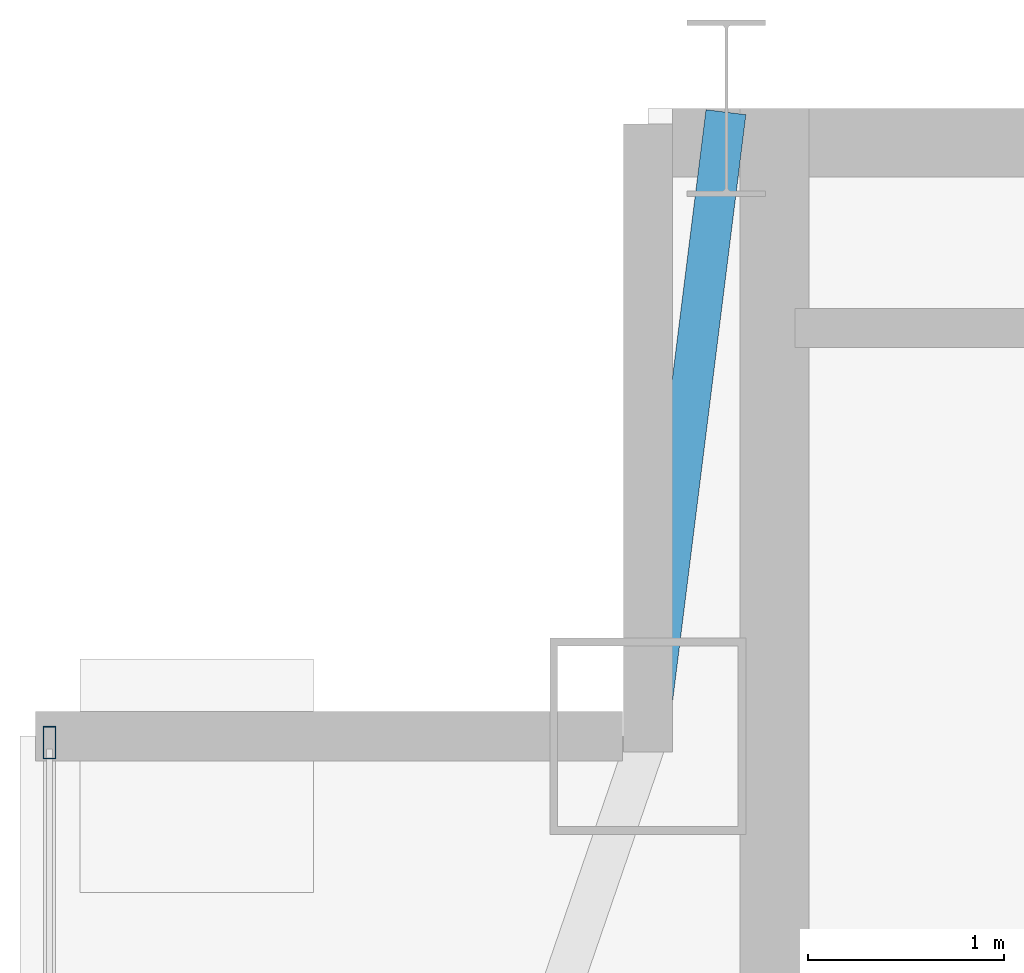
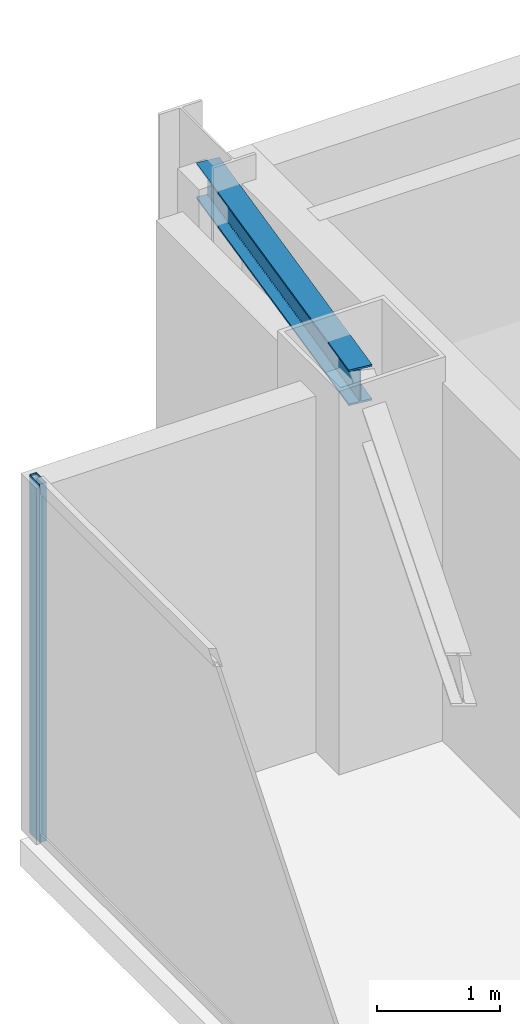
# One storey, part 15 of 25: 1 beam, 1 member, 1 element without a shape of its own.
"""IFC4 building model written with IfcOpenShell, lengths in metres."""

import ifcopenshell
import ifcopenshell.guid

model = None  # the IFC model being written
_history = None  # IfcOwnerHistory: only IFC2X3 demands one
_inside = {}  # id of a spatial element -> (the spatial element, [elements in it])
_under = {}  # id of a project, library or spatial element -> (it, [spatial elements below it])
_declared = {}  # id of a project -> (the project, [libraries it declares])
_typed = {}  # id of a type object -> (the type object, [elements of that type])
_made_of = {}  # id of a material, layer set ... -> (it, [elements and type objects made of it])


def new_model(schema):
    """Start an empty IFC model of exactly this schema.

    Asked for "IFC4X3", IfcOpenShell would pick the latest addendum, in which some entities
    have other attributes; the version numbers below select the first issue.
    IFC2X3 requires an IfcOwnerHistory on every rooted entity: one is made here for all.
    """
    global model, _history
    if schema == "IFC4X3":
        model = ifcopenshell.file(schema_version=(4, 3, 0, 0))
    else:
        model = ifcopenshell.file(schema=schema)
    _inside.clear()
    _under.clear()
    _declared.clear()
    _typed.clear()
    _made_of.clear()
    _history = None
    if model.schema == "IFC2X3":
        org = make("IfcOrganization", Name="unknown")
        user = make(
            "IfcPersonAndOrganization",
            ThePerson=make("IfcPerson", FamilyName="unknown"),
            TheOrganization=org,
        )
        app = make(
            "IfcApplication",
            ApplicationDeveloper=org,
            Version="unknown",
            ApplicationFullName="unknown",
            ApplicationIdentifier="unknown",
        )
        _history = make(
            "IfcOwnerHistory",
            OwningUser=user,
            OwningApplication=app,
            ChangeAction="ADDED",
            CreationDate=0,
        )
    return model


def make(cls, **values):
    """One entity of the class cls with the attributes given. An attribute that is None is left unset."""
    return model.create_entity(
        cls, **{name: value for name, value in values.items() if value is not None}
    )


def rooted(cls, **values):
    """An entity with a GlobalId (a new one), such as an element, a storey or a relation."""
    return make(cls, GlobalId=ifcopenshell.guid.new(), OwnerHistory=_history, **values)


def si_unit(unit_type, name, prefix=None):
    """IfcSIUnit, for example si_unit("LENGTHUNIT", "METRE", prefix="MILLI")."""
    return make("IfcSIUnit", UnitType=unit_type, Prefix=prefix, Name=name)


def assignment(units):
    """IfcUnitAssignment: the units of a project."""
    return None if units is None else make("IfcUnitAssignment", Units=units)


def point(xyz):
    """IfcCartesianPoint."""
    return None if xyz is None else make("IfcCartesianPoint", Coordinates=xyz)


def direction(xyz):
    """IfcDirection."""
    return None if xyz is None else make("IfcDirection", DirectionRatios=xyz)


def frame(location, z_axis=None, x_axis=None):
    """IfcAxis2Placement3D, a coordinate frame: its origin and axes. An axis left out is left unset."""
    return make(
        "IfcAxis2Placement3D",
        Location=point(location),
        Axis=direction(z_axis),
        RefDirection=direction(x_axis),
    )


def frame_2d(location, x_axis=None):
    """IfcAxis2Placement2D, a coordinate frame in the plane: its origin and x axis."""
    return make(
        "IfcAxis2Placement2D", Location=point(location), RefDirection=direction(x_axis)
    )


def origin():
    """The frame at (0, 0, 0) with its axes left unset."""
    return frame((0.0, 0.0, 0.0))


def origin_2d():
    """The frame at (0, 0) in the plane with its x axis left unset."""
    return frame_2d((0.0, 0.0))


def place(relative_to, where):
    """IfcLocalPlacement: puts the frame where relative to a parent placement (None: the world)."""
    return make(
        "IfcLocalPlacement", PlacementRelTo=relative_to, RelativePlacement=where
    )


def context(
    kind, dimensions, precision=None, world=None, true_north=None, identifier=None
):
    """IfcGeometricRepresentationContext, for example the 3D "Model" context."""
    return make(
        "IfcGeometricRepresentationContext",
        ContextIdentifier=identifier,
        ContextType=kind,
        CoordinateSpaceDimension=dimensions,
        Precision=precision,
        WorldCoordinateSystem=world,
        TrueNorth=true_north,
    )


def subcontext(parent, identifier, kind, view, scale=None):
    """IfcGeometricRepresentationSubContext, for example "Body" below "Model"."""
    return make(
        "IfcGeometricRepresentationSubContext",
        ContextIdentifier=identifier,
        ContextType=kind,
        ParentContext=parent,
        TargetScale=scale,
        TargetView=view,
    )


def project(units=None, contexts=None):
    """IfcProject with its units and contexts."""
    return rooted(
        "IfcProject",
        Name="project",
        RepresentationContexts=contexts,
        UnitsInContext=assignment(units),
    )


def spatial(cls, under=None, at=None, **own):
    """A site, building, storey or space (cls), placed at a placement, below another one or the project."""
    s = rooted(cls, ObjectPlacement=at, **own)
    if under is not None:
        _under.setdefault(under.id(), (under, []))[1].append(s)
    return s


def profile(cls, at=None, kind="AREA", **sizes):
    """A parametric profile (cls). Its sizes go by their IFC names, for example OverallWidth=200.0."""
    return make(cls, ProfileType=kind, Position=at, **sizes)


def hollow_rectangle(**sizes):
    """IfcRectangleHollowProfileDef."""
    return profile("IfcRectangleHollowProfileDef", **sizes)


def i_section(**sizes):
    """IfcIShapeProfileDef."""
    return profile("IfcIShapeProfileDef", **sizes)


def extrude(swept, where, along, depth):
    """IfcExtrudedAreaSolid: the profile swept, set in the frame where, extruded along a direction by depth."""
    return make(
        "IfcExtrudedAreaSolid",
        SweptArea=swept,
        Position=where,
        ExtrudedDirection=direction(along),
        Depth=depth,
    )


def shape(context_of_items, identifier, shape_type, items):
    """IfcShapeRepresentation: the items that make up one representation, for example the "Body"."""
    return make(
        "IfcShapeRepresentation",
        ContextOfItems=context_of_items,
        RepresentationIdentifier=identifier,
        RepresentationType=shape_type,
        Items=items,
    )


def source(mapping_origin, context_of_items, identifier, shape_type, items):
    """IfcRepresentationMap: a shape defined once, which mapped items show again and again."""
    return make(
        "IfcRepresentationMap",
        MappingOrigin=mapping_origin,
        MappedRepresentation=shape(context_of_items, identifier, shape_type, items),
    )


def transform(
    local_origin,
    x_axis=None,
    y_axis=None,
    z_axis=None,
    scale=None,
    scale2=None,
    scale3=None,
    uniform=True,
):
    """IfcCartesianTransformationOperator3D, or its non-uniform kind. x_axis, y_axis, z_axis: its Axis1, 2, 3."""
    if uniform:
        return make(
            "IfcCartesianTransformationOperator3D",
            Axis1=direction(x_axis),
            Axis2=direction(y_axis),
            LocalOrigin=point(local_origin),
            Scale=scale,
            Axis3=direction(z_axis),
        )
    return make(
        "IfcCartesianTransformationOperator3DnonUniform",
        Axis1=direction(x_axis),
        Axis2=direction(y_axis),
        LocalOrigin=point(local_origin),
        Scale=scale,
        Axis3=direction(z_axis),
        Scale2=scale2,
        Scale3=scale3,
    )


def mapped(mapping_source, mapping_target):
    """IfcMappedItem: shows the shape of a source again, moved by a transform."""
    return make(
        "IfcMappedItem", MappingSource=mapping_source, MappingTarget=mapping_target
    )


def material(Name=None, Category=None):
    """IfcMaterial."""
    return make("IfcMaterial", Name=Name, Category=Category)


def layer(
    of_material, thickness, ventilated=None, Name=None, Category=None, Priority=None
):
    """IfcMaterialLayer: one layer of a wall or slab, of a material (None: an air gap)."""
    return make(
        "IfcMaterialLayer",
        Material=of_material,
        LayerThickness=thickness,
        IsVentilated=ventilated,
        Name=Name,
        Category=Category,
        Priority=Priority,
    )


def layer_set(layers, Name=None):
    """IfcMaterialLayerSet."""
    return make("IfcMaterialLayerSet", MaterialLayers=layers, LayerSetName=Name)


def material_profile(
    of_material, cross_section, Name=None, Category=None, Priority=None
):
    """IfcMaterialProfile: a cross section and its material."""
    return make(
        "IfcMaterialProfile",
        Name=Name,
        Material=of_material,
        Profile=cross_section,
        Priority=Priority,
        Category=Category,
    )


def profile_set(profiles, Name=None, composite=None):
    """IfcMaterialProfileSet."""
    return make(
        "IfcMaterialProfileSet",
        Name=Name,
        MaterialProfiles=profiles,
        CompositeProfile=composite,
    )


def made_of(thing, what):
    """Note that an element or type object is made of a material, layer set ...; save() writes the relation."""
    if what is not None:
        _made_of.setdefault(what.id(), (what, []))[1].append(thing)
    return thing


def type_object(cls, material=None, **own):
    """A type object (cls), such as IfcWallType, which elements share."""
    return made_of(rooted(cls, **own), material)


def type_shapes(of_type, sources):
    """Give a type object the sources (RepresentationMaps) that its elements show as mapped items."""
    of_type.RepresentationMaps = sources


def element(
    cls,
    number,
    at=None,
    inside=None,
    cuts=None,
    type_object=None,
    material=None,
    context=None,
    identifier="Body",
    shape_type=None,
    held_by="IfcProductDefinitionShape",
    body=None,
    shapes=None,
    **own,
):
    """One element of the class cls, such as IfcWall. Its Tag is "e" and its number.

    at: its placement. inside: the storey or other place that contains it. cuts: it is an
    opening in that element (IfcRelVoidsElement). A single representation is given by context,
    identifier, shape_type and body (its items); several are given by shapes. held_by: the class
    of the entity that holds the representations. save() writes the other relations.
    """
    e = rooted(cls, Tag="e%d" % number, ObjectPlacement=at, **own)
    if body is not None:
        shapes = [shape(context, identifier, shape_type, body)]
    if shapes is not None:
        e.Representation = make(held_by, Representations=shapes)
    if inside is not None:
        _inside.setdefault(inside.id(), (inside, []))[1].append(e)
    if cuts is not None:
        rooted(
            "IfcRelVoidsElement", RelatingBuildingElement=cuts, RelatedOpeningElement=e
        )
    if type_object is not None:
        _typed.setdefault(type_object.id(), (type_object, []))[1].append(e)
    return made_of(e, material)


def aggregate(whole, parts):
    """IfcRelAggregates: a whole, such as a stair, and the parts it consists of."""
    return rooted("IfcRelAggregates", RelatingObject=whole, RelatedObjects=parts)


def save(model, path):
    """Write the relations noted so far, then the file.

    IfcRelAggregates (storeys below a building ...), IfcRelContainedInSpatialStructure (elements
    in a storey), IfcRelDefinesByType, IfcRelAssociatesMaterial and IfcRelDeclares: one each for
    every whole, place, type object, material and project.
    """
    for whole, parts in _under.values():
        aggregate(whole, parts)
    for where, things in _inside.values():
        rooted(
            "IfcRelContainedInSpatialStructure",
            RelatedElements=things,
            RelatingStructure=where,
        )
    for kind, things in _typed.values():
        rooted("IfcRelDefinesByType", RelatedObjects=things, RelatingType=kind)
    for what, things in _made_of.values():
        rooted("IfcRelAssociatesMaterial", RelatedObjects=things, RelatingMaterial=what)
    for by, libraries in _declared.values():
        rooted("IfcRelDeclares", RelatingContext=by, RelatedDefinitions=libraries)
    model.write(path)


model = new_model("IFC4")

# Units and contexts
model_context = context("Model", 3, precision=1e-05, world=origin(), true_north=direction((0.0, 1.0)))
body_context = subcontext(model_context, "Body", "Model", "MODEL_VIEW")
ifc_project = project(units=[si_unit("LENGTHUNIT", "METRE"), si_unit("AREAUNIT", "SQUARE_METRE"), si_unit("VOLUMEUNIT", "CUBIC_METRE"), si_unit("PLANEANGLEUNIT", "RADIAN"), si_unit("MASSUNIT", "GRAM", prefix="KILO")], contexts=[model_context])

# Site, building, storey
site_placement = place(None, origin())
site = spatial("IfcSite", under=ifc_project, at=site_placement, CompositionType="ELEMENT")
building_placement = place(site_placement, origin())
building = spatial("IfcBuilding", under=site, at=building_placement, Name="Varnel Quay Broadcast Tower", CompositionType="ELEMENT")
storey_placement = place(building_placement, frame((0.0, 0.0, 258.39990234375)))
storey = spatial("IfcBuildingStorey", under=building, at=storey_placement, Name="L64", CompositionType="ELEMENT", Elevation=258.39990234375)

# Beam
ifc_material_1 = material(Name="Structural Steel CSA G40.21 350W", Category="steel")
ifc_material_profile_1 = material_profile(ifc_material_1, i_section(OverallWidth=0.205078125, OverallDepth=0.35400390625, WebThickness=0.009521484375, FlangeThickness=0.016845703125, FilletRadius=0.012939453125, at=origin_2d()), Name="W360X79")
ifc_profile_set_1 = profile_set([ifc_material_profile_1], Name="Structural Steel CSA G40.21 350W")
beam_type = type_object("IfcBeamType", Name="Beam_W360X79", PredefinedType="SPANDREL", material=ifc_profile_set_1)
shared_shape_1 = source(origin(), body_context, "Body", "SweptSolid", [
    extrude(i_section(OverallWidth=0.205078125, OverallDepth=0.35400390625, WebThickness=0.009521484375, FlangeThickness=0.016845703125, FilletRadius=0.012939453125, at=origin_2d()), origin(), (0.0, 0.0, 1.0), 3.18505859375),
])
type_shapes(beam_type, [shared_shape_1])
beam_placement = place(storey_placement, frame((15.202392578125, 43.619873046875, 3.373046875), z_axis=(0.124025300311, 0.992279055953, 0.0), x_axis=(-0.992279055953, 0.124025300311, 0.0)))
element("IfcBeam", 1, at=beam_placement, inside=storey, type_object=beam_type, Name="L64 NW Tie Spandrel", PredefinedType="SPANDREL", context=body_context, shape_type="MappedRepresentation", body=[
    mapped(shared_shape_1, transform((0.0, 0.0, 0.0), x_axis=(1.0, 0.0, 0.0), y_axis=(0.0, 1.0, 0.0), z_axis=(0.0, 0.0, 1.0), scale=1.0)),
])

# Curtain wall, member
ifc_material_2 = material(Name="Anodised Bronze Aluminium 6063-T6", Category="aluminium")
ifc_layer = layer(ifc_material_2, 0.18994140625, Name="Anodised Bronze Aluminium 6063-T6")
ifc_layer_set = layer_set([ifc_layer], Name="Anodised Bronze Aluminium 6063-T6")
curtain_wall_type = type_object("IfcCurtainWallType", Name="CW_UpperTower", PredefinedType="NOTDEFINED", material=ifc_layer_set)
curtain_wall_placement = place(storey_placement, origin())
curtain_wall = element("IfcCurtainWall", 2, at=curtain_wall_placement, inside=storey, type_object=curtain_wall_type, Name="L64 West Unitised Curtain Wall", PredefinedType="NOTDEFINED")
ifc_material_profile_2 = material_profile(ifc_material_2, hollow_rectangle(XDim=0.06494140625, YDim=0.1650390625, WallThickness=0.00341796875, at=origin_2d()), Name="ALU65X165X3.5")
ifc_profile_set_2 = profile_set([ifc_material_profile_2], Name="Anodised Bronze Aluminium 6063-T6")
member_type = type_object("IfcMemberType", Name="Mull_CWS-03", PredefinedType="MULLION", material=ifc_profile_set_2)
shared_shape_2 = source(origin(), body_context, "Body", "SweptSolid", [
    extrude(hollow_rectangle(XDim=0.06494140625, YDim=0.1650390625, WallThickness=0.00341796875, at=origin_2d()), origin(), (0.0, 0.0, 1.0), 3.550048828125),
])
type_shapes(member_type, [shared_shape_2])
member_placement = place(storey_placement, frame((12.14990234375, 43.5673828125, 0.0), z_axis=(0.0, 0.0, 1.0), x_axis=(-1.0, 0.0, 0.0)))
member = element("IfcMember", 3, at=member_placement, type_object=member_type, Name="CWS-03 mullion 3", PredefinedType="MULLION", context=body_context, shape_type="MappedRepresentation", body=[
    mapped(shared_shape_2, transform((0.0, 0.0, 0.0), x_axis=(1.0, 0.0, 0.0), y_axis=(0.0, 1.0, 0.0), z_axis=(0.0, 0.0, 1.0), scale=1.0)),
])
aggregate(curtain_wall, [member])

save(model, "model.ifc")
